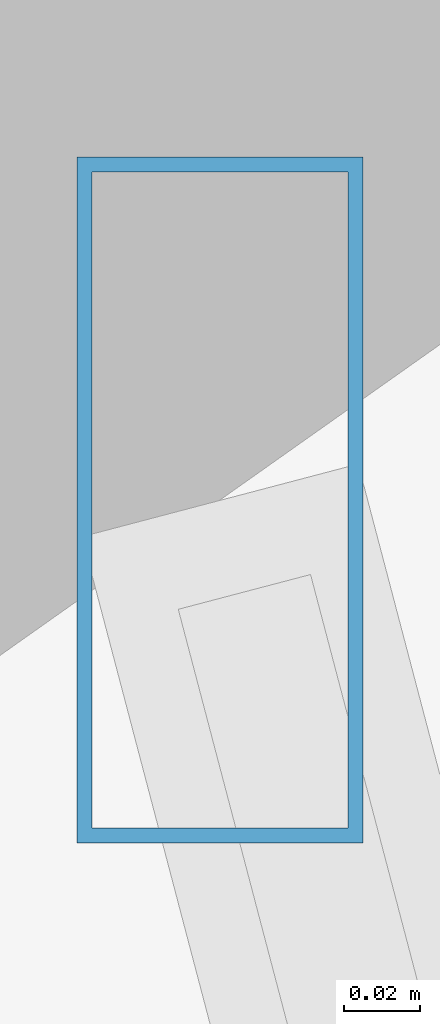
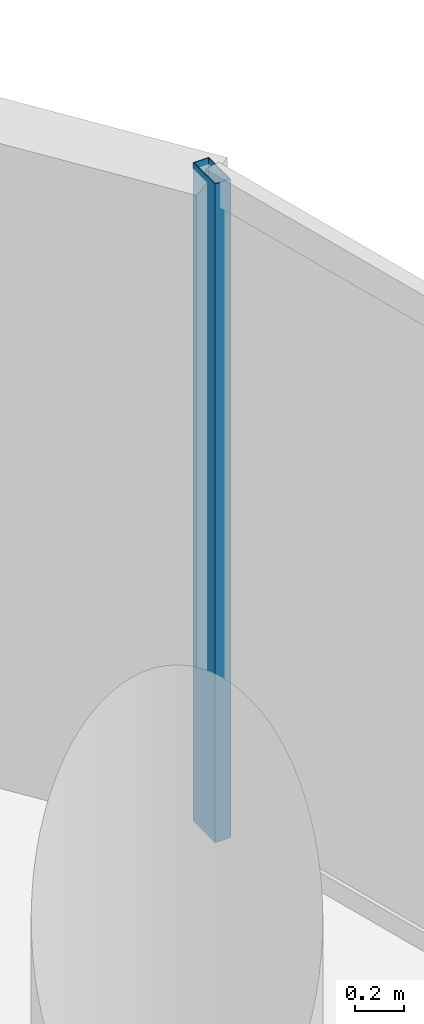
# One storey, part 17 of 33: 1 member, 1 element without a shape of its own.
"""IFC4 building model written with IfcOpenShell, lengths in metres."""

import ifcopenshell
import ifcopenshell.guid

model = None  # the IFC model being written
_history = None  # IfcOwnerHistory: only IFC2X3 demands one
_inside = {}  # id of a spatial element -> (the spatial element, [elements in it])
_under = {}  # id of a project, library or spatial element -> (it, [spatial elements below it])
_declared = {}  # id of a project -> (the project, [libraries it declares])
_typed = {}  # id of a type object -> (the type object, [elements of that type])
_made_of = {}  # id of a material, layer set ... -> (it, [elements and type objects made of it])


def new_model(schema):
    """Start an empty IFC model of exactly this schema.

    Asked for "IFC4X3", IfcOpenShell would pick the latest addendum, in which some entities
    have other attributes; the version numbers below select the first issue.
    IFC2X3 requires an IfcOwnerHistory on every rooted entity: one is made here for all.
    """
    global model, _history
    if schema == "IFC4X3":
        model = ifcopenshell.file(schema_version=(4, 3, 0, 0))
    else:
        model = ifcopenshell.file(schema=schema)
    _inside.clear()
    _under.clear()
    _declared.clear()
    _typed.clear()
    _made_of.clear()
    _history = None
    if model.schema == "IFC2X3":
        org = make("IfcOrganization", Name="unknown")
        user = make(
            "IfcPersonAndOrganization",
            ThePerson=make("IfcPerson", FamilyName="unknown"),
            TheOrganization=org,
        )
        app = make(
            "IfcApplication",
            ApplicationDeveloper=org,
            Version="unknown",
            ApplicationFullName="unknown",
            ApplicationIdentifier="unknown",
        )
        _history = make(
            "IfcOwnerHistory",
            OwningUser=user,
            OwningApplication=app,
            ChangeAction="ADDED",
            CreationDate=0,
        )
    return model


def make(cls, **values):
    """One entity of the class cls with the attributes given. An attribute that is None is left unset."""
    return model.create_entity(
        cls, **{name: value for name, value in values.items() if value is not None}
    )


def rooted(cls, **values):
    """An entity with a GlobalId (a new one), such as an element, a storey or a relation."""
    return make(cls, GlobalId=ifcopenshell.guid.new(), OwnerHistory=_history, **values)


def si_unit(unit_type, name, prefix=None):
    """IfcSIUnit, for example si_unit("LENGTHUNIT", "METRE", prefix="MILLI")."""
    return make("IfcSIUnit", UnitType=unit_type, Prefix=prefix, Name=name)


def assignment(units):
    """IfcUnitAssignment: the units of a project."""
    return None if units is None else make("IfcUnitAssignment", Units=units)


def point(xyz):
    """IfcCartesianPoint."""
    return None if xyz is None else make("IfcCartesianPoint", Coordinates=xyz)


def direction(xyz):
    """IfcDirection."""
    return None if xyz is None else make("IfcDirection", DirectionRatios=xyz)


def frame(location, z_axis=None, x_axis=None):
    """IfcAxis2Placement3D, a coordinate frame: its origin and axes. An axis left out is left unset."""
    return make(
        "IfcAxis2Placement3D",
        Location=point(location),
        Axis=direction(z_axis),
        RefDirection=direction(x_axis),
    )


def frame_2d(location, x_axis=None):
    """IfcAxis2Placement2D, a coordinate frame in the plane: its origin and x axis."""
    return make(
        "IfcAxis2Placement2D", Location=point(location), RefDirection=direction(x_axis)
    )


def origin():
    """The frame at (0, 0, 0) with its axes left unset."""
    return frame((0.0, 0.0, 0.0))


def origin_2d():
    """The frame at (0, 0) in the plane with its x axis left unset."""
    return frame_2d((0.0, 0.0))


def place(relative_to, where):
    """IfcLocalPlacement: puts the frame where relative to a parent placement (None: the world)."""
    return make(
        "IfcLocalPlacement", PlacementRelTo=relative_to, RelativePlacement=where
    )


def context(
    kind, dimensions, precision=None, world=None, true_north=None, identifier=None
):
    """IfcGeometricRepresentationContext, for example the 3D "Model" context."""
    return make(
        "IfcGeometricRepresentationContext",
        ContextIdentifier=identifier,
        ContextType=kind,
        CoordinateSpaceDimension=dimensions,
        Precision=precision,
        WorldCoordinateSystem=world,
        TrueNorth=true_north,
    )


def subcontext(parent, identifier, kind, view, scale=None):
    """IfcGeometricRepresentationSubContext, for example "Body" below "Model"."""
    return make(
        "IfcGeometricRepresentationSubContext",
        ContextIdentifier=identifier,
        ContextType=kind,
        ParentContext=parent,
        TargetScale=scale,
        TargetView=view,
    )


def project(units=None, contexts=None):
    """IfcProject with its units and contexts."""
    return rooted(
        "IfcProject",
        Name="project",
        RepresentationContexts=contexts,
        UnitsInContext=assignment(units),
    )


def spatial(cls, under=None, at=None, **own):
    """A site, building, storey or space (cls), placed at a placement, below another one or the project."""
    s = rooted(cls, ObjectPlacement=at, **own)
    if under is not None:
        _under.setdefault(under.id(), (under, []))[1].append(s)
    return s


def profile(cls, at=None, kind="AREA", **sizes):
    """A parametric profile (cls). Its sizes go by their IFC names, for example OverallWidth=200.0."""
    return make(cls, ProfileType=kind, Position=at, **sizes)


def hollow_rectangle(**sizes):
    """IfcRectangleHollowProfileDef."""
    return profile("IfcRectangleHollowProfileDef", **sizes)


def extrude(swept, where, along, depth):
    """IfcExtrudedAreaSolid: the profile swept, set in the frame where, extruded along a direction by depth."""
    return make(
        "IfcExtrudedAreaSolid",
        SweptArea=swept,
        Position=where,
        ExtrudedDirection=direction(along),
        Depth=depth,
    )


def shape(context_of_items, identifier, shape_type, items):
    """IfcShapeRepresentation: the items that make up one representation, for example the "Body"."""
    return make(
        "IfcShapeRepresentation",
        ContextOfItems=context_of_items,
        RepresentationIdentifier=identifier,
        RepresentationType=shape_type,
        Items=items,
    )


def material(Name=None, Category=None):
    """IfcMaterial."""
    return make("IfcMaterial", Name=Name, Category=Category)


def material_profile(
    of_material, cross_section, Name=None, Category=None, Priority=None
):
    """IfcMaterialProfile: a cross section and its material."""
    return make(
        "IfcMaterialProfile",
        Name=Name,
        Material=of_material,
        Profile=cross_section,
        Priority=Priority,
        Category=Category,
    )


def profile_set(profiles, Name=None, composite=None):
    """IfcMaterialProfileSet."""
    return make(
        "IfcMaterialProfileSet",
        Name=Name,
        MaterialProfiles=profiles,
        CompositeProfile=composite,
    )


def made_of(thing, what):
    """Note that an element or type object is made of a material, layer set ...; save() writes the relation."""
    if what is not None:
        _made_of.setdefault(what.id(), (what, []))[1].append(thing)
    return thing


def type_object(cls, material=None, **own):
    """A type object (cls), such as IfcWallType, which elements share."""
    return made_of(rooted(cls, **own), material)


def element(
    cls,
    number,
    at=None,
    inside=None,
    cuts=None,
    type_object=None,
    material=None,
    context=None,
    identifier="Body",
    shape_type=None,
    held_by="IfcProductDefinitionShape",
    body=None,
    shapes=None,
    **own,
):
    """One element of the class cls, such as IfcWall. Its Tag is "e" and its number.

    at: its placement. inside: the storey or other place that contains it. cuts: it is an
    opening in that element (IfcRelVoidsElement). A single representation is given by context,
    identifier, shape_type and body (its items); several are given by shapes. held_by: the class
    of the entity that holds the representations. save() writes the other relations.
    """
    e = rooted(cls, Tag="e%d" % number, ObjectPlacement=at, **own)
    if body is not None:
        shapes = [shape(context, identifier, shape_type, body)]
    if shapes is not None:
        e.Representation = make(held_by, Representations=shapes)
    if inside is not None:
        _inside.setdefault(inside.id(), (inside, []))[1].append(e)
    if cuts is not None:
        rooted(
            "IfcRelVoidsElement", RelatingBuildingElement=cuts, RelatedOpeningElement=e
        )
    if type_object is not None:
        _typed.setdefault(type_object.id(), (type_object, []))[1].append(e)
    return made_of(e, material)


def aggregate(whole, parts):
    """IfcRelAggregates: a whole, such as a stair, and the parts it consists of."""
    return rooted("IfcRelAggregates", RelatingObject=whole, RelatedObjects=parts)


def save(model, path):
    """Write the relations noted so far, then the file.

    IfcRelAggregates (storeys below a building ...), IfcRelContainedInSpatialStructure (elements
    in a storey), IfcRelDefinesByType, IfcRelAssociatesMaterial and IfcRelDeclares: one each for
    every whole, place, type object, material and project.
    """
    for whole, parts in _under.values():
        aggregate(whole, parts)
    for where, things in _inside.values():
        rooted(
            "IfcRelContainedInSpatialStructure",
            RelatedElements=things,
            RelatingStructure=where,
        )
    for kind, things in _typed.values():
        rooted("IfcRelDefinesByType", RelatedObjects=things, RelatingType=kind)
    for what, things in _made_of.values():
        rooted("IfcRelAssociatesMaterial", RelatedObjects=things, RelatingMaterial=what)
    for by, libraries in _declared.values():
        rooted("IfcRelDeclares", RelatingContext=by, RelatedDefinitions=libraries)
    model.write(path)


model = new_model("IFC4")

# Units and contexts
model_context = context("Model", 3, precision=1e-05, world=origin(), true_north=direction((0.0, 1.0)))
body_context = subcontext(model_context, "Body", "Model", "MODEL_VIEW")
ifc_project = project(units=[si_unit("LENGTHUNIT", "METRE"), si_unit("AREAUNIT", "SQUARE_METRE"), si_unit("VOLUMEUNIT", "CUBIC_METRE"), si_unit("PLANEANGLEUNIT", "RADIAN"), si_unit("MASSUNIT", "GRAM", prefix="KILO")], contexts=[model_context])

# Site, building, storey
site_placement = place(None, origin())
site = spatial("IfcSite", under=ifc_project, at=site_placement, CompositionType="ELEMENT")
building_placement = place(site_placement, origin())
building = spatial("IfcBuilding", under=site, at=building_placement, Name="Vorneva Point Tower", CompositionType="ELEMENT")
storey_placement = place(building_placement, frame((0.0, 0.0, 59.0)))
storey = spatial("IfcBuildingStorey", under=building, at=storey_placement, Name="L15", CompositionType="ELEMENT", Elevation=59.0)

# Curtain wall, member
ifc_material = material(Name="Pale anodised aluminium", Category="aluminium")
curtain_wall_type = type_object("IfcCurtainWallType", Name="CW-HTL-SYS", PredefinedType="NOTDEFINED", material=ifc_material)
curtain_wall_placement = place(storey_placement, origin())
curtain_wall = element("IfcCurtainWall", 1, at=curtain_wall_placement, inside=storey, type_object=curtain_wall_type, Name="L15 Unitised Curtain Wall CW-L15-R01", PredefinedType="NOTDEFINED")
ifc_material_profile = material_profile(ifc_material, hollow_rectangle(XDim=0.074951171875, YDim=0.179931640625, WallThickness=0.00390625, at=origin_2d()), Name="AL-MUL 180x75x4")
ifc_profile_set = profile_set([ifc_material_profile], Name="Pale anodised aluminium")
member_type = type_object("IfcMemberType", Name="CW-MUL-180", PredefinedType="MULLION", material=ifc_profile_set)
member_placement = place(storey_placement, frame((65.300537109375, 34.552978515625, -0.0400390625), z_axis=(0.0, 0.0, 1.0), x_axis=(1.0, 0.0, 0.0)))
member = element("IfcMember", 2, at=member_placement, type_object=member_type, Name="CW-L15-R01 Mullion 04", PredefinedType="MULLION", context=body_context, shape_type="SweptSolid", body=[
    extrude(hollow_rectangle(XDim=0.074951171875, YDim=0.179931640625, WallThickness=0.00390625, at=origin_2d()), origin(), (0.0, 0.0, 1.0), 3.31005859375),
])
aggregate(curtain_wall, [member])

save(model, "model.ifc")
